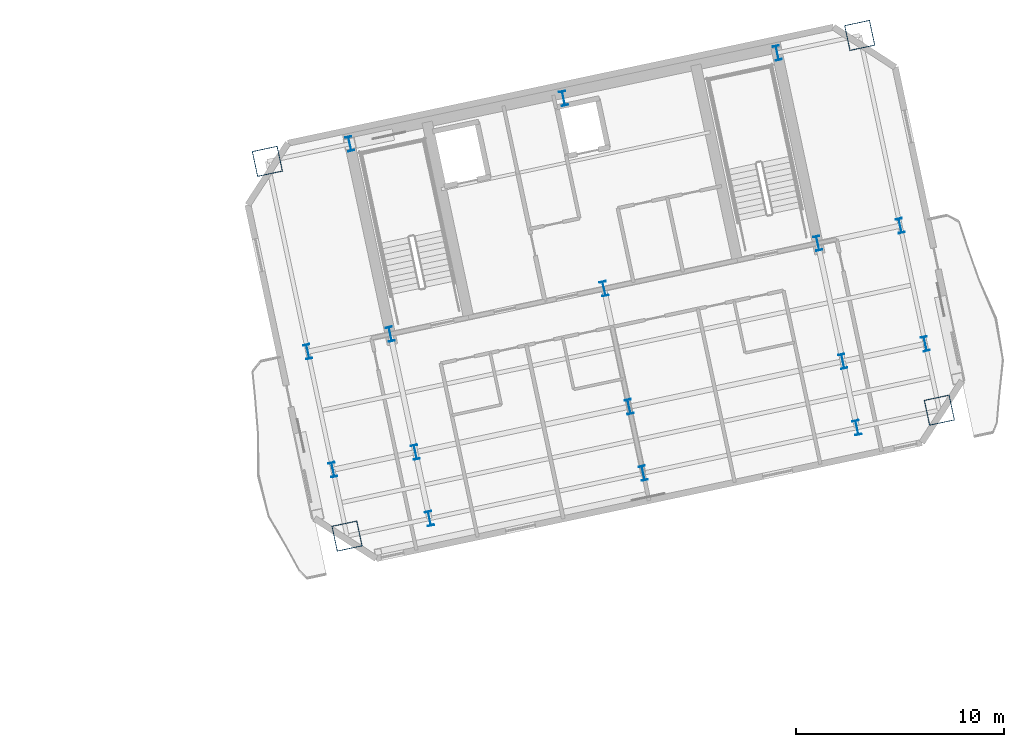
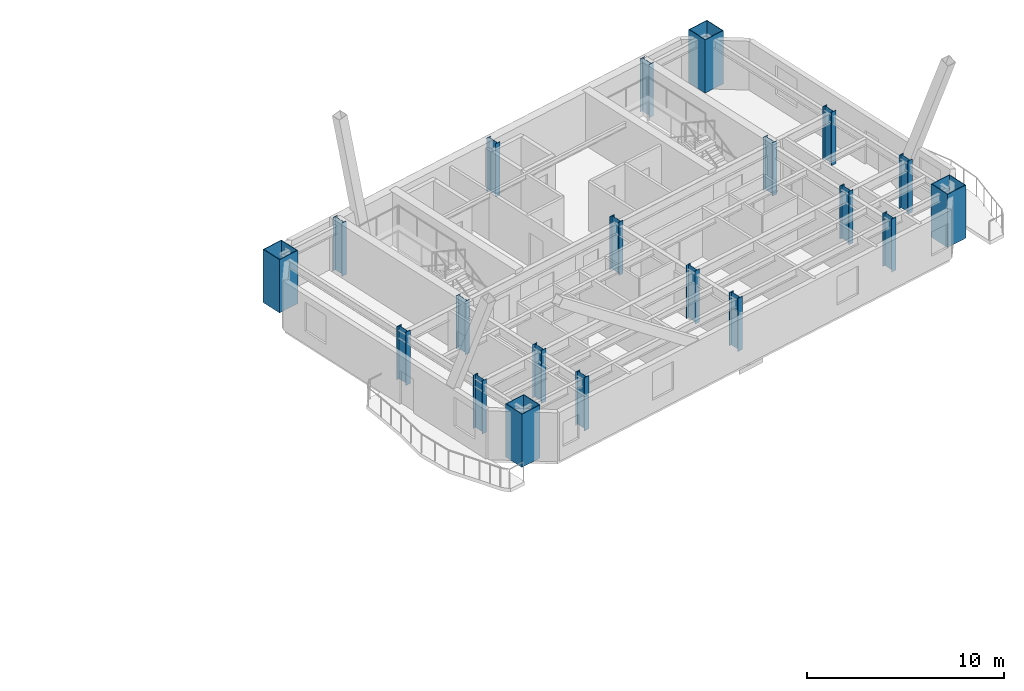
# One storey, part 2 of 13: 20 columns.
"""IFC4 building model written with IfcOpenShell, lengths in metres."""

from ifc_helpers import new_model, si_unit, direction, frame, origin, origin_2d, place, context, subcontext, project, spatial, hollow_rectangle, i_section, extrude, material, material_profile, profile_set, type_object, element, save


model = new_model("IFC4")

# Units and contexts
model_context = context("Model", 3, precision=1e-05, world=origin(), true_north=direction((0.0, 1.0)))
body_context = subcontext(model_context, "Body", "Model", "MODEL_VIEW")
ifc_project = project(units=[si_unit("LENGTHUNIT", "METRE"), si_unit("AREAUNIT", "SQUARE_METRE"), si_unit("VOLUMEUNIT", "CUBIC_METRE"), si_unit("PLANEANGLEUNIT", "RADIAN"), si_unit("MASSUNIT", "GRAM", prefix="KILO")], contexts=[model_context])

# Site, building, storey
site_placement = place(None, origin())
site = spatial("IfcSite", under=ifc_project, at=site_placement, CompositionType="ELEMENT")
building_placement = place(site_placement, origin())
building = spatial("IfcBuilding", under=site, at=building_placement, Name="Haevon Station Towers", CompositionType="ELEMENT")
storey_placement = place(building_placement, frame((0.0, 0.0, 165.89990234375)))
storey = spatial("IfcBuildingStorey", under=building, at=storey_placement, Name="L45", CompositionType="ELEMENT", Elevation=165.89990234375)

# Columns
ifc_material_1 = material(Name="Steel S460", Category="steel")
ifc_material_profile_1 = material_profile(ifc_material_1, hollow_rectangle(XDim=1.25, YDim=1.25, WallThickness=0.034912109375, at=origin_2d()), Name="BOX-1250x1250x35")
ifc_profile_set_1 = profile_set([ifc_material_profile_1], Name="Steel S460")
column_type_1 = type_object("IfcColumnType", Name="COL-MC4", PredefinedType="COLUMN", material=ifc_profile_set_1)
for number, where, z_axis, x_axis, name in (
    (1, (96.674560546875, 27.73828125, 0.0), (0.0, 0.0, 1.0), (0.978147600734, 0.207911690818, 0.0), "COL-T2-L45-01-01"),
    (2, (92.846923828125, 45.74609375, 0.0), (0.0, 0.0, 1.0), (0.978147600734, 0.207911690818, 0.0), "COL-T2-L45-01-04"),
    (3, (125.138671875, 33.78857421875, 0.0), (0.0, 0.0, 1.0), (0.978147600734, 0.207911690818, 0.0), "COL-T2-L45-05-01"),
    (4, (121.31103515625, 51.79638671875, 0.0), (0.0, 0.0, 1.0), (0.978147600734, 0.207911690818, 0.0), "COL-T2-L45-05-04"),
):
    element("IfcColumn", number, at=place(storey_placement, frame(where, z_axis=z_axis, x_axis=x_axis)), inside=storey, type_object=column_type_1, Name=name, PredefinedType="COLUMN", context=body_context, shape_type="SweptSolid", body=[
        extrude(hollow_rectangle(XDim=1.25, YDim=1.25, WallThickness=0.034912109375, at=origin_2d()), origin(), (0.0, 0.0, 1.0), 3.300048828125),
    ])
ifc_material_2 = material(Name="Steel S355", Category="steel")
ifc_material_profile_2 = material_profile(ifc_material_2, i_section(OverallWidth=0.300048828125, OverallDepth=0.699951171875, WebThickness=0.01611328125, FlangeThickness=0.028076171875, at=origin_2d()), Name="H-700x300x16x28")
ifc_profile_set_2 = profile_set([ifc_material_profile_2], Name="Steel S355")
column_type_2 = type_object("IfcColumnType", Name="COL-TW3", PredefinedType="COLUMN", material=ifc_profile_set_2)
for number, where, z_axis, x_axis, name in (
    (5, (95.996826171875, 30.927001953125, 0.0), (0.0, 0.0, 1.0), (0.978147600734, 0.207911690818, 0.0), "COL-T2-L45-01-02"),
    (6, (94.790771484375, 36.600341796875, 0.0), (0.0, 0.0, 1.0), (0.978147600734, 0.207911690818, 0.0), "COL-T2-L45-01-03"),
    (7, (100.635986328125, 28.580322265625, 0.0), (0.0, 0.0, 1.0), (0.978147600734, 0.207911690818, 0.0), "COL-T2-L45-02-01"),
    (8, (99.958251953125, 31.76904296875, 0.0), (0.0, 0.0, 1.0), (0.978147600734, 0.207911690818, 0.0), "COL-T2-L45-02-02"),
    (9, (98.75244140625, 37.4423828125, 0.0), (0.0, 0.0, 1.0), (0.978147600734, 0.207911690818, 0.0), "COL-T2-L45-02-03"),
    (10, (96.808349609375, 46.588134765625, 0.0), (0.0, 0.0, 1.0), (0.978147600734, 0.207911690818, 0.0), "COL-T2-L45-02-04"),
    (11, (110.906494140625, 30.763427734375, 0.0), (0.0, 0.0, 1.0), (0.978147600734, 0.207911690818, 0.0), "COL-T2-L45-03-01"),
    (12, (110.228759765625, 33.9521484375, 0.0), (0.0, 0.0, 1.0), (0.978147600734, 0.207911690818, 0.0), "COL-T2-L45-03-02"),
    (13, (109.02294921875, 39.62548828125, 0.0), (0.0, 0.0, 1.0), (0.978147600734, 0.207911690818, 0.0), "COL-T2-L45-03-03"),
    (14, (107.078857421875, 48.771240234375, 0.0), (0.0, 0.0, 1.0), (0.978147600734, 0.207911690818, 0.0), "COL-T2-L45-03-04"),
    (15, (121.17724609375, 32.946533203125, 0.0), (0.0, 0.0, 1.0), (0.978147600734, 0.207911690818, 0.0), "COL-T2-L45-04-01"),
    (16, (120.499267578125, 36.13525390625, 0.0), (0.0, 0.0, 1.0), (0.978147600734, 0.207911690818, 0.0), "COL-T2-L45-04-02"),
    (17, (119.29345703125, 41.80859375, 0.0), (0.0, 0.0, 1.0), (0.978147600734, 0.207911690818, 0.0), "COL-T2-L45-04-03"),
    (18, (117.349365234375, 50.954345703125, 0.0), (0.0, 0.0, 1.0), (0.978147600734, 0.207911690818, 0.0), "COL-T2-L45-04-04"),
    (19, (124.4609375, 36.977294921875, 0.0), (0.0, 0.0, 1.0), (0.978147600734, 0.207911690818, 0.0), "COL-T2-L45-05-02"),
    (20, (123.2548828125, 42.650634765625, 0.0), (0.0, 0.0, 1.0), (0.978147600734, 0.207911690818, 0.0), "COL-T2-L45-05-03"),
):
    element("IfcColumn", number, at=place(storey_placement, frame(where, z_axis=z_axis, x_axis=x_axis)), inside=storey, type_object=column_type_2, Name=name, PredefinedType="COLUMN", context=body_context, shape_type="SweptSolid", body=[
        extrude(i_section(OverallWidth=0.300048828125, OverallDepth=0.699951171875, WebThickness=0.01611328125, FlangeThickness=0.028076171875, at=origin_2d()), origin(), (0.0, 0.0, 1.0), 3.300048828125),
    ])

save(model, "model.ifc")
